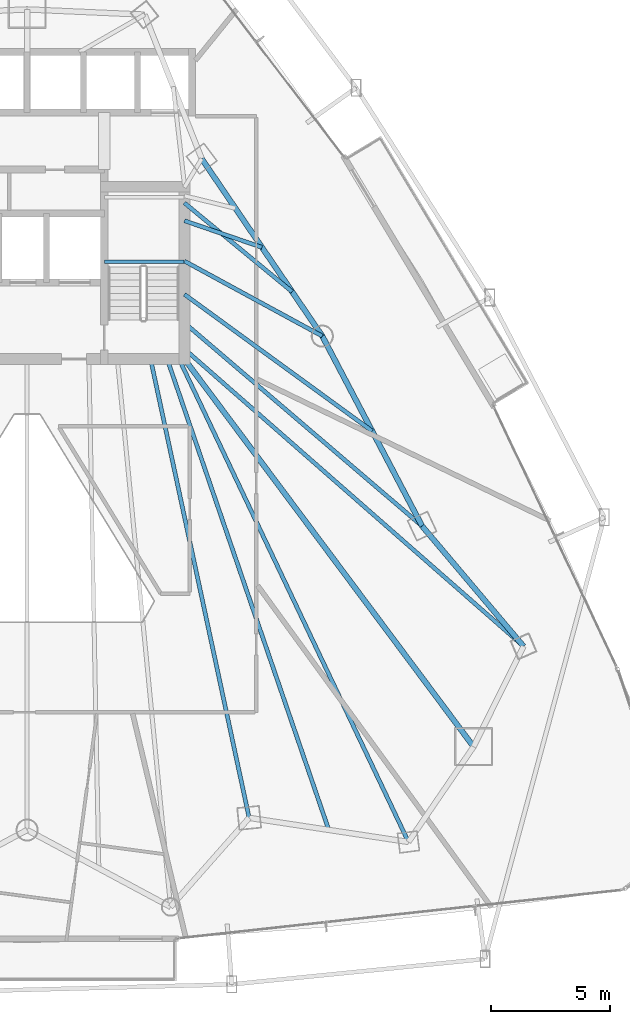
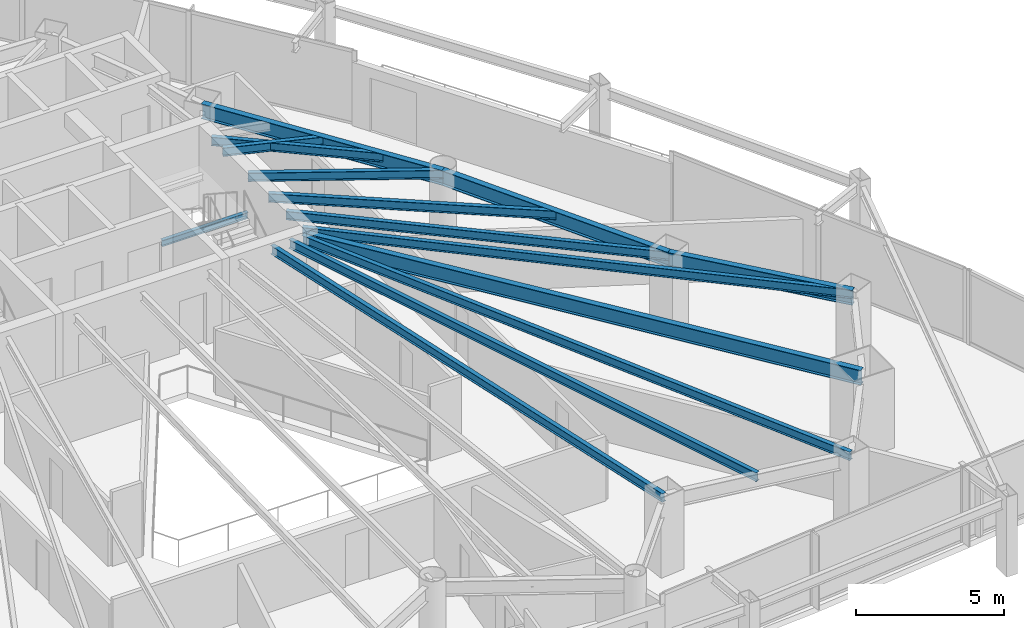
# One storey, part 18 of 33: 14 beams.
"""IFC4 building model written with IfcOpenShell, lengths in metres."""

from ifc_helpers import new_model, si_unit, direction, frame, origin, origin_2d, place, context, subcontext, project, spatial, i_section, extrude, material, material_profile, profile_set, type_object, element, save


model = new_model("IFC4")

# Units and contexts
model_context = context("Model", 3, precision=1e-05, world=origin(), true_north=direction((0.0, 1.0)))
body_context = subcontext(model_context, "Body", "Model", "MODEL_VIEW")
ifc_project = project(units=[si_unit("LENGTHUNIT", "METRE"), si_unit("AREAUNIT", "SQUARE_METRE"), si_unit("VOLUMEUNIT", "CUBIC_METRE"), si_unit("PLANEANGLEUNIT", "RADIAN"), si_unit("MASSUNIT", "GRAM", prefix="KILO")], contexts=[model_context])

# Site, building, storey
site_placement = place(None, origin())
site = spatial("IfcSite", under=ifc_project, at=site_placement, CompositionType="ELEMENT")
building_placement = place(site_placement, origin())
building = spatial("IfcBuilding", under=site, at=building_placement, Name="Orvanel Arch Residences", CompositionType="ELEMENT")
storey_placement = place(building_placement, frame((0.0, 0.0, 84.050048828125)))
storey = spatial("IfcBuildingStorey", under=building, at=storey_placement, Name="L23", CompositionType="ELEMENT", Elevation=84.050048828125)

# Beams
ifc_material = material(Name="Structural steel AS/NZS 3679.1 Grade 300 (300 MPa)", Category="steel")
ifc_material_profile_1 = material_profile(ifc_material, i_section(OverallWidth=0.22900390625, OverallDepth=0.612060546875, WebThickness=0.011962890625, FlangeThickness=0.01953125, at=origin_2d()), Name="610UB125")
ifc_profile_set_1 = profile_set([ifc_material_profile_1], Name="Structural steel AS/NZS 3679.1 Grade 300 (300 MPa)")
beam_type_1 = type_object("IfcBeamType", Name="BG-610UB", PredefinedType="BEAM", material=ifc_profile_set_1)
beam_1_placement = place(storey_placement, frame((39.625, 26.675048828125, 2.75390625), z_axis=(0.597893733742, -0.801575375839, 0.0), x_axis=(0.801575375839, 0.597893733742, 0.0)))
element("IfcBeam", 1, at=beam_1_placement, inside=storey, type_object=beam_type_1, Name="L23 South-East Radial Girder", PredefinedType="BEAM", context=body_context, shape_type="SweptSolid", body=[
    extrude(i_section(OverallWidth=0.22900390625, OverallDepth=0.612060546875, WebThickness=0.011962890625, FlangeThickness=0.01953125, at=origin_2d()), origin(), (0.0, 0.0, 1.0), 20.36474609375),
])
ifc_material_profile_2 = material_profile(ifc_material, i_section(OverallWidth=0.14599609375, OverallDepth=0.251953125, WebThickness=0.006103515625, FlangeThickness=0.008544921875, at=origin_2d()), Name="250UB31.4")
ifc_profile_set_2 = profile_set([ifc_material_profile_2], Name="Structural steel AS/NZS 3679.1 Grade 300 (300 MPa)")
beam_type_2 = type_object("IfcBeamType", Name="BJ-250UB", PredefinedType="JOIST", material=ifc_profile_set_2)
beam_2_placement = place(storey_placement, frame((36.25, 30.780029296875, 1.323974609375), z_axis=(1.0, 0.0, 0.0), x_axis=(0.0, 1.0, 0.0)))
element("IfcBeam", 2, at=beam_2_placement, inside=storey, type_object=beam_type_2, Name="L23 ST-2 Half-Landing Support Beam 1.1", PredefinedType="JOIST", context=body_context, shape_type="SweptSolid", body=[
    extrude(i_section(OverallWidth=0.14599609375, OverallDepth=0.251953125, WebThickness=0.006103515625, FlangeThickness=0.008544921875, at=origin_2d()), origin(), (0.0, 0.0, 1.0), 3.35009765625),
])
ifc_material_profile_3 = material_profile(ifc_material, i_section(OverallWidth=0.1708984375, OverallDepth=0.35595703125, WebThickness=0.00732421875, FlangeThickness=0.011474609375, at=origin_2d()), Name="360UB50.7")
ifc_profile_set_3 = profile_set([ifc_material_profile_3], Name="Structural steel AS/NZS 3679.1 Grade 300 (300 MPa)")
beam_type_3 = type_object("IfcBeamType", Name="BJ-360UB", PredefinedType="JOIST", material=ifc_profile_set_3)
beam_3_placement = place(storey_placement, frame((39.625, 30.800048828125, 2.8818359375), z_axis=(0.878399029914, -0.477927969726, 0.0), x_axis=(0.477927969726, 0.878399029914, 0.0)))
element("IfcBeam", 3, at=beam_3_placement, inside=storey, type_object=beam_type_3, Name="L23 NE Wing Floor Joist", PredefinedType="JOIST", context=body_context, shape_type="SweptSolid", body=[
    extrude(i_section(OverallWidth=0.1708984375, OverallDepth=0.35595703125, WebThickness=0.00732421875, FlangeThickness=0.011474609375, at=origin_2d()), origin(), (0.0, 0.0, 1.0), 6.609619140625),
])
beam_4_placement = place(storey_placement, frame((39.625, 28.199951171875, 2.8818359375), z_axis=(0.760024297953, -0.649894658018, 0.0), x_axis=(0.649894658018, 0.760024297953, 0.0)))
element("IfcBeam", 4, at=beam_4_placement, inside=storey, type_object=beam_type_3, Name="L23 E Wing Floor Joist", PredefinedType="JOIST", context=body_context, shape_type="SweptSolid", body=[
    extrude(i_section(OverallWidth=0.1708984375, OverallDepth=0.35595703125, WebThickness=0.00732421875, FlangeThickness=0.011474609375, at=origin_2d()), origin(), (0.0, 0.0, 1.0), 13.16796875),
])
beam_5_placement = place(storey_placement, frame((38.199951171875, 26.675048828125, 2.8818359375), z_axis=(0.210066515515, -0.977687096703, 0.0), x_axis=(0.977687096703, 0.210066515515, 0.0)))
element("IfcBeam", 5, at=beam_5_placement, inside=storey, type_object=beam_type_3, Name="L23 SE Wing Floor Joist", PredefinedType="JOIST", context=body_context, shape_type="SweptSolid", body=[
    extrude(i_section(OverallWidth=0.1708984375, OverallDepth=0.35595703125, WebThickness=0.00732421875, FlangeThickness=0.011474609375, at=origin_2d()), origin(), (0.0, 0.0, 1.0), 19.760986328125),
])
beam_6_placement = place(storey_placement, frame((39.625, 32.5, 2.8818359375), z_axis=(0.945658073701, -0.325162740247, 0.0), x_axis=(0.325162740247, 0.945658073701, 0.0)))
element("IfcBeam", 6, at=beam_6_placement, inside=storey, type_object=beam_type_3, Name="L23 ENE Wing Floor Joist", PredefinedType="JOIST", context=body_context, shape_type="SweptSolid", body=[
    extrude(i_section(OverallWidth=0.1708984375, OverallDepth=0.35595703125, WebThickness=0.00732421875, FlangeThickness=0.011474609375, at=origin_2d()), origin(), (0.0, 0.0, 1.0), 3.453857421875),
])
beam_7_placement = place(storey_placement, frame((39.625, 27.10009765625, 2.8818359375), z_axis=(0.751924114057, -0.659249669472, 0.0), x_axis=(0.659249669472, 0.751924114057, 0.0)))
element("IfcBeam", 7, at=beam_7_placement, inside=storey, type_object=beam_type_3, Name="L23 ME Wing Floor Joist", PredefinedType="JOIST", context=body_context, shape_type="SweptSolid", body=[
    extrude(i_section(OverallWidth=0.1708984375, OverallDepth=0.35595703125, WebThickness=0.00732421875, FlangeThickness=0.011474609375, at=origin_2d()), origin(), (0.0, 0.0, 1.0), 18.9912109375),
])
beam_8_placement = place(storey_placement, frame((39.39990234375, 26.675048828125, 2.8818359375), z_axis=(0.429042657795, -0.903284228686, 0.0), x_axis=(0.903284228686, 0.429042657795, 0.0)))
element("IfcBeam", 8, at=beam_8_placement, inside=storey, type_object=beam_type_3, Name="L23 MSE Wing Floor Joist", PredefinedType="JOIST", context=body_context, shape_type="SweptSolid", body=[
    extrude(i_section(OverallWidth=0.1708984375, OverallDepth=0.35595703125, WebThickness=0.00732421875, FlangeThickness=0.011474609375, at=origin_2d()), origin(), (0.0, 0.0, 1.0), 22.513427734375),
])
beam_9_placement = place(storey_placement, frame((39.625, 33.25, 2.8818359375), z_axis=(0.771468562814, -0.636267441089, 0.0), x_axis=(0.636267441089, 0.771468562814, 0.0)))
element("IfcBeam", 9, at=beam_9_placement, inside=storey, type_object=beam_type_3, Name="L23 LE Wing Floor Joist", PredefinedType="JOIST", context=body_context, shape_type="SweptSolid", body=[
    extrude(i_section(OverallWidth=0.1708984375, OverallDepth=0.35595703125, WebThickness=0.00732421875, FlangeThickness=0.011474609375, at=origin_2d()), origin(), (0.0, 0.0, 1.0), 5.879638671875),
])
beam_10_placement = place(storey_placement, frame((39.625, 29.39990234375, 2.8818359375), z_axis=(0.808381909511, -0.588658380026, 0.0), x_axis=(0.588658380026, 0.808381909511, 0.0)))
element("IfcBeam", 10, at=beam_10_placement, inside=storey, type_object=beam_type_3, Name="L23 CTE Wing Floor Joist", PredefinedType="JOIST", context=body_context, shape_type="SweptSolid", body=[
    extrude(i_section(OverallWidth=0.1708984375, OverallDepth=0.35595703125, WebThickness=0.00732421875, FlangeThickness=0.011474609375, at=origin_2d()), origin(), (0.0, 0.0, 1.0), 9.78125),
])
beam_11_placement = place(storey_placement, frame((38.89990234375, 26.675048828125, 2.8818359375), z_axis=(0.324621456495, -0.945844019901, 0.0), x_axis=(0.945844019901, 0.324621456495, 0.0)))
element("IfcBeam", 11, at=beam_11_placement, inside=storey, type_object=beam_type_3, Name="L23 JADD2 Wing Floor Joist", PredefinedType="JOIST", context=body_context, shape_type="SweptSolid", body=[
    extrude(i_section(OverallWidth=0.1708984375, OverallDepth=0.35595703125, WebThickness=0.00732421875, FlangeThickness=0.011474609375, at=origin_2d()), origin(), (0.0, 0.0, 1.0), 20.96337890625),
])
ifc_material_profile_4 = material_profile(ifc_material, i_section(OverallWidth=0.22900390625, OverallDepth=0.612060546875, WebThickness=0.011962890625, FlangeThickness=0.01953125, at=origin_2d()), Name="610UB125")
ifc_profile_set_4 = profile_set([ifc_material_profile_4], Name="Structural steel AS/NZS 3679.1 Grade 300 (300 MPa)")
beam_type_4 = type_object("IfcBeamType", Name="SP-610UB", PredefinedType="SPANDREL", material=ifc_profile_set_4)
beam_12_placement = place(storey_placement, frame((53.905029296875, 14.580078125, 2.75390625), z_axis=(-0.644950329775, 0.764224490659, 0.0), x_axis=(-0.764224490659, -0.644950329775, 0.0)))
element("IfcBeam", 12, at=beam_12_placement, inside=storey, type_object=beam_type_4, Name="L23 Perimeter Spandrel Beam 12", PredefinedType="SPANDREL", context=body_context, shape_type="SweptSolid", body=[
    extrude(i_section(OverallWidth=0.22900390625, OverallDepth=0.612060546875, WebThickness=0.011962890625, FlangeThickness=0.01953125, at=origin_2d()), origin(), (0.0, 0.0, 1.0), 6.623779296875),
])
beam_13_placement = place(storey_placement, frame((49.633056640625, 19.64208984375, 2.75390625), z_axis=(-0.465064762793, 0.885276660942, 0.0), x_axis=(-0.885276660942, -0.465064762793, 0.0)))
element("IfcBeam", 13, at=beam_13_placement, inside=storey, type_object=beam_type_4, Name="L23 Perimeter Spandrel Beam 13", PredefinedType="SPANDREL", context=body_context, shape_type="SweptSolid", body=[
    extrude(i_section(OverallWidth=0.22900390625, OverallDepth=0.612060546875, WebThickness=0.011962890625, FlangeThickness=0.01953125, at=origin_2d()), origin(), (0.0, 0.0, 1.0), 9.03564453125),
])
beam_14_placement = place(storey_placement, frame((45.430908203125, 27.64111328125, 2.75390625), z_axis=(-0.562154793153, 0.827032035978, 0.0), x_axis=(-0.827032035978, -0.562154793153, 0.0)))
element("IfcBeam", 14, at=beam_14_placement, inside=storey, type_object=beam_type_4, Name="L23 Perimeter Spandrel Beam 14", PredefinedType="SPANDREL", context=body_context, shape_type="SweptSolid", body=[
    extrude(i_section(OverallWidth=0.22900390625, OverallDepth=0.612060546875, WebThickness=0.011962890625, FlangeThickness=0.01953125, at=origin_2d()), origin(), (0.0, 0.0, 1.0), 9.03466796875),
])

save(model, "model.ifc")
